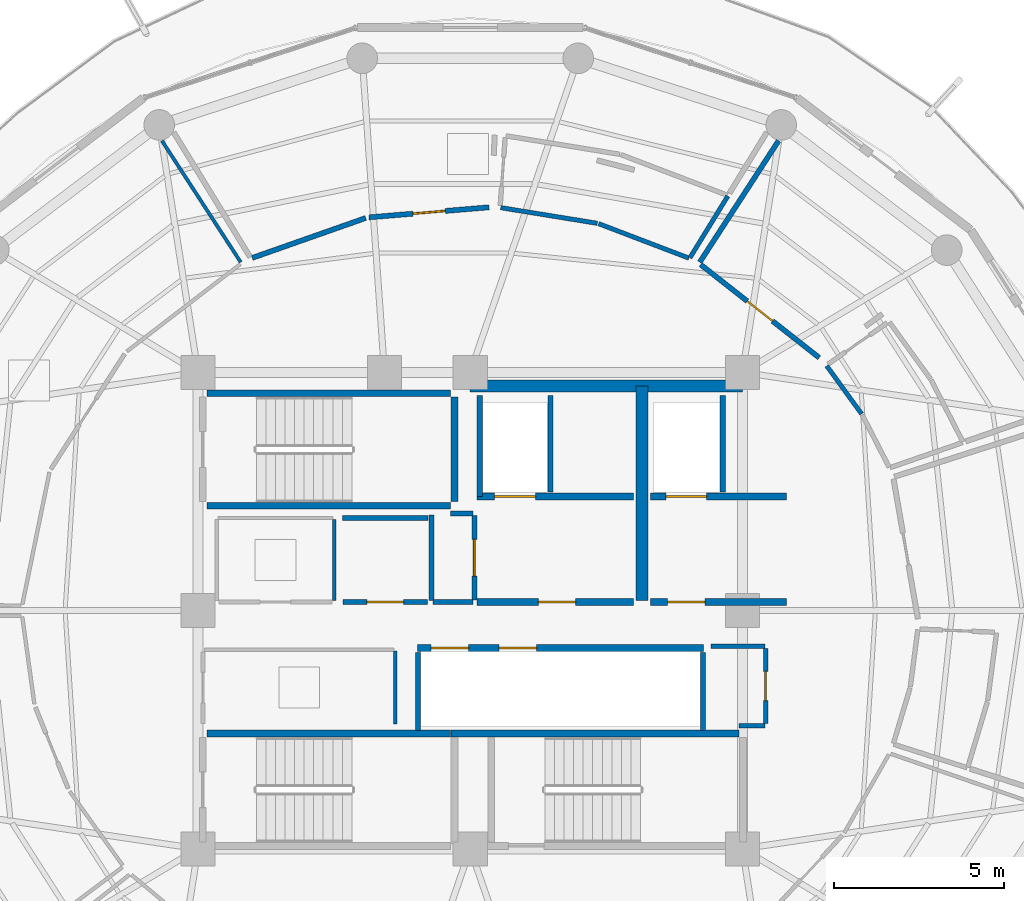
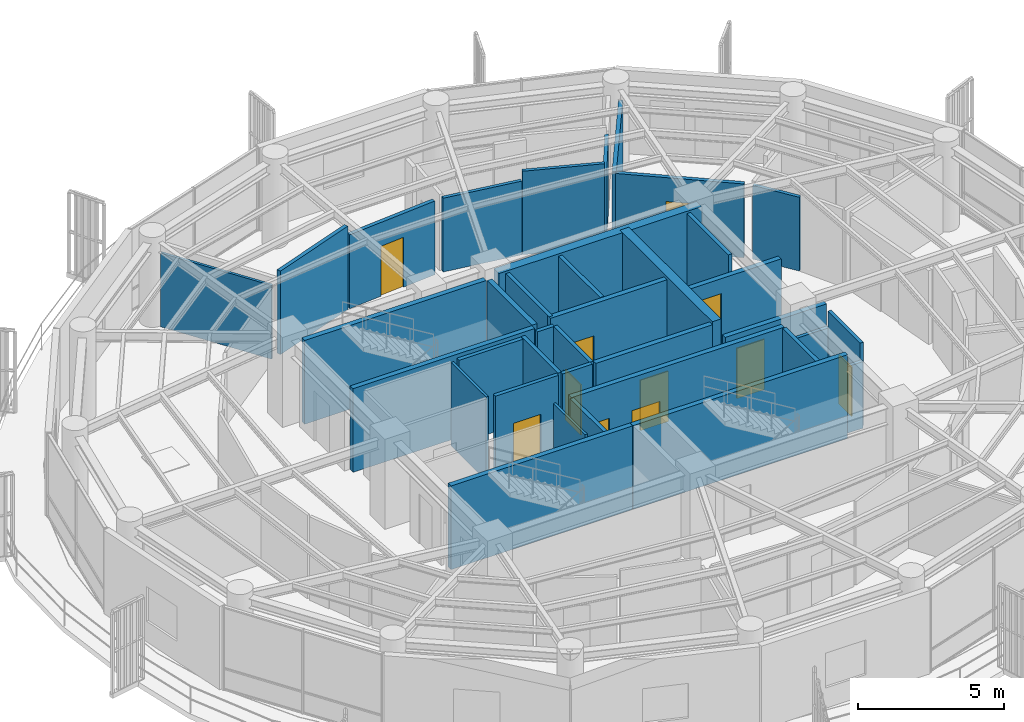
# One storey, part 16 of 22: 37 walls, 11 doors, 11 openings.
"""IFC4 building model written with IfcOpenShell, lengths in metres."""

from ifc_helpers import new_model, si_unit, direction, frame, frame_2d, origin, place, context, subcontext, project, spatial, rectangle, extrude, material, layer, layer_set, type_object, element, fill, save


model = new_model("IFC4")

# Units and contexts
model_context = context("Model", 3, precision=1e-05, world=origin(), true_north=direction((0.0, 1.0)))
body_context = subcontext(model_context, "Body", "Model", "MODEL_VIEW")
ifc_project = project(units=[si_unit("LENGTHUNIT", "METRE"), si_unit("AREAUNIT", "SQUARE_METRE"), si_unit("VOLUMEUNIT", "CUBIC_METRE"), si_unit("PLANEANGLEUNIT", "RADIAN"), si_unit("MASSUNIT", "GRAM", prefix="KILO")], contexts=[model_context])

# Site, building, storey
site_placement = place(None, origin())
site = spatial("IfcSite", under=ifc_project, at=site_placement, CompositionType="ELEMENT")
building_placement = place(site_placement, origin())
building = spatial("IfcBuilding", under=site, at=building_placement, Name="Kelanora Arch Commons", CompositionType="ELEMENT")
storey_placement = place(building_placement, frame((0.0, 0.0, 267.449951171875)))
storey = spatial("IfcBuildingStorey", under=building, at=storey_placement, Name="L68", CompositionType="ELEMENT", Elevation=267.449951171875)

# Walls
ifc_material_1 = material(Name="Autoclaved aerated concrete blockwork with fire plaster", Category="masonry")
ifc_layer_1 = layer(ifc_material_1, 0.14990234375)
ifc_layer_set_1 = layer_set([ifc_layer_1], Name="Autoclaved aerated concrete blockwork with fire plaster")
wall_type_1 = type_object("IfcWallType", Name="W-COMP-150", PredefinedType="PARTITIONING", material=ifc_layer_set_1)
wall_1_placement = place(storey_placement, frame((74.280029296875, 61.35009765625, 0.0), z_axis=(0.0, 0.0, 1.0), x_axis=(0.0, 1.0, 0.0)))
element("IfcWall", 1, at=wall_1_placement, inside=storey, type_object=wall_type_1, Name="Firefighting Lift 1 West Shaft Wall L68", PredefinedType="PARTITIONING", context=body_context, shape_type="SweptSolid", body=[
    extrude(rectangle(XDim=2.969970703125, YDim=0.14990234375, at=frame_2d((1.48486328125, 0.0))), origin(), (0.0, 0.0, 1.0), 3.47998046875),
])
for number, where, z_axis, x_axis, name in (
    (2, (76.360107421875, 61.47998046875, 0.0), (0.0, 0.0, 1.0), (0.0, 1.0, 0.0), "Firefighting Lift 1 East Shaft Wall L68"),
    (3, (81.419921875, 61.47998046875, 0.0), (0.0, 0.0, 1.0), (0.0, 1.0, 0.0), "Firefighting Lift 2 East Shaft Wall L68"),
):
    element("IfcWall", number, at=place(storey_placement, frame(where, z_axis=z_axis, x_axis=x_axis)), inside=storey, type_object=wall_type_1, Name=name, PredefinedType="PARTITIONING", context=body_context, shape_type="SweptSolid", body=[
        extrude(rectangle(XDim=2.840087890625, YDim=0.14990234375, at=frame_2d((1.419921875, 0.0))), origin(), (0.0, 0.0, 1.0), 3.47998046875),
    ])
for number, where, z_axis, x_axis, name in (
    (4, (72.4599609375, 54.47998046875, 0.0), (0.0, 0.0, 1.0), (0.0, 1.0, 0.0), "South Lift Bank West Wall L68"),
    (5, (80.840087890625, 54.47998046875, 0.0), (0.0, 0.0, 1.0), (0.0, 1.0, 0.0), "South Lift Bank East Wall L68"),
):
    element("IfcWall", number, at=place(storey_placement, frame(where, z_axis=z_axis, x_axis=x_axis)), inside=storey, type_object=wall_type_1, Name=name, PredefinedType="PARTITIONING", context=body_context, shape_type="SweptSolid", body=[
        extrude(rectangle(XDim=2.2900390625, YDim=0.14990234375, at=frame_2d((1.14501953125, 0.0))), origin(), (0.0, 0.0, 1.0), 3.47998046875),
    ])

# Wall, opening, door
wall_2_placement = place(storey_placement, frame((74.1201171875, 58.31005859375, 0.0), z_axis=(0.0, 0.0, 1.0), x_axis=(0.0, 1.0, 0.0)))
wall_2 = element("IfcWall", 6, at=wall_2_placement, inside=storey, type_object=wall_type_1, Name="Core Linen Supply Store L68 Entry Partition", PredefinedType="PARTITIONING", context=body_context, shape_type="SweptSolid", body=[
    extrude(rectangle(XDim=2.47998046875, YDim=0.14990234375, at=frame_2d((1.239990234375, 0.0))), origin(), (0.0, 0.0, 1.0), 3.47998046875),
])
opening_1_placement = place(wall_2_placement, frame((0.699951171875, 0.0, 0.0)))
opening_1 = element("IfcOpeningElement", 7, at=opening_1_placement, cuts=wall_2, Name="Opening D-PLT1", PredefinedType="OPENING", context=body_context, shape_type="SweptSolid", body=[
    extrude(rectangle(XDim=1.080078125, YDim=2.10009765625, at=frame_2d((0.5400390625, 1.050048828125))), frame((0.0, 0.0849609375, 0.0), z_axis=(0.0, -1.0, 0.0), x_axis=(1.0, 0.0, 0.0)), (0.0, 0.0, 1.0), 0.169921875),
])
ifc_material_2 = material(Name="Galvanised steel plant and riser fire door", Category="steel")
door_type_1 = type_object("IfcDoorType", Name="D-PLT-110", OperationType="NOTDEFINED", PredefinedType="DOOR", material=ifc_material_2)
door_1_placement = place(opening_1_placement, origin())
door_1 = element("IfcDoor", 8, at=door_1_placement, inside=storey, type_object=door_type_1, Name="Core Linen Supply Store L68 Door", OperationType="SINGLE_SWING_RIGHT", OverallHeight=2.10009765625, OverallWidth=1.080078125, PredefinedType="DOOR", context=body_context, shape_type="SweptSolid", body=[
    extrude(rectangle(XDim=1.080078125, YDim=2.10009765625, at=frame_2d((0.5400390625, 1.050048828125))), frame((0.0, 0.02490234375, 0.0), z_axis=(0.0, -1.0, 0.0), x_axis=(1.0, 0.0, 0.0)), (0.0, 0.0, 1.0), 0.050048828125),
])
fill(opening_1, door_1)

wall_3_placement = place(storey_placement, frame((70.260009765625, 58.25, 0.0), z_axis=(0.0, 0.0, 1.0), x_axis=(1.0, 0.0, 0.0)))
wall_3 = element("IfcWall", 9, at=wall_3_placement, inside=storey, type_object=wall_type_1, Name="Reclaimed Core Linen Store L68 Entry Partition", PredefinedType="PARTITIONING", context=body_context, shape_type="SweptSolid", body=[
    extrude(rectangle(XDim=2.47998046875, YDim=0.14990234375, at=frame_2d((1.239990234375, 0.0))), origin(), (0.0, 0.0, 1.0), 3.47998046875),
])
opening_2_placement = place(wall_3_placement, frame((0.699951171875, 0.0, 0.0)))
opening_2 = element("IfcOpeningElement", 10, at=opening_2_placement, cuts=wall_3, Name="Opening D-PLT1", PredefinedType="OPENING", context=body_context, shape_type="SweptSolid", body=[
    extrude(rectangle(XDim=1.080078125, YDim=2.10009765625, at=frame_2d((0.5400390625, 1.050048828125))), frame((0.0, 0.0849609375, 0.0), z_axis=(0.0, -1.0, 0.0), x_axis=(1.0, 0.0, 0.0)), (0.0, 0.0, 1.0), 0.169921875),
])
door_2_placement = place(opening_2_placement, origin())
door_2 = element("IfcDoor", 11, at=door_2_placement, inside=storey, type_object=door_type_1, Name="Reclaimed Core Linen Store L68 Door", OperationType="SINGLE_SWING_LEFT", OverallHeight=2.10009765625, OverallWidth=1.080078125, PredefinedType="DOOR", context=body_context, shape_type="SweptSolid", body=[
    extrude(rectangle(XDim=1.080078125, YDim=2.10009765625, at=frame_2d((0.5400390625, 1.050048828125))), frame((0.0, 0.02490234375, 0.0), z_axis=(0.0, -1.0, 0.0), x_axis=(1.0, 0.0, 0.0)), (0.0, 0.0, 1.0), 0.050048828125),
])
fill(opening_2, door_2)

wall_4_placement = place(storey_placement, frame((84.2548828125, 65.43212890625, 0.0), z_axis=(0.0, 0.0, 1.0), x_axis=(-0.786354671358, 0.617775307724, 0.0)))
wall_4 = element("IfcWall", 12, at=wall_4_placement, inside=storey, type_object=wall_type_1, Name="Co-Living Studio L68-01 Entry Partition", PredefinedType="PARTITIONING", context=body_context, shape_type="SweptSolid", body=[
    extrude(rectangle(XDim=4.43017578125, YDim=0.14990234375, at=frame_2d((2.215087890625, 0.0))), origin(), (0.0, 0.0, 1.0), 3.074951171875),
])
opening_3_placement = place(wall_4_placement, frame((1.739990234375, 0.0, 0.0)))
opening_3 = element("IfcOpeningElement", 13, at=opening_3_placement, cuts=wall_4, Name="Opening D-CLU1", PredefinedType="OPENING", context=body_context, shape_type="SweptSolid", body=[
    extrude(rectangle(XDim=0.949951171875, YDim=2.080078125, at=frame_2d((0.47509765625, 1.0400390625))), frame((0.0, 0.0849609375, 0.0), z_axis=(0.0, -1.0, 0.0), x_axis=(1.0, 0.0, 0.0)), (0.0, 0.0, 1.0), 0.169921875),
])
ifc_material_3 = material(Name="Solid-core acoustic timber cluster entry fire door", Category="wood")
door_type_2 = type_object("IfcDoorType", Name="D-CLU-95", OperationType="NOTDEFINED", PredefinedType="DOOR", material=ifc_material_3)
door_3_placement = place(opening_3_placement, origin())
door_3 = element("IfcDoor", 14, at=door_3_placement, inside=storey, type_object=door_type_2, Name="Co-Living Studio L68-01 Door", OperationType="SINGLE_SWING_RIGHT", OverallHeight=2.080078125, OverallWidth=0.949951171875, PredefinedType="DOOR", context=body_context, shape_type="SweptSolid", body=[
    extrude(rectangle(XDim=0.949951171875, YDim=2.080078125, at=frame_2d((0.47509765625, 1.0400390625))), frame((0.0, 0.02490234375, 0.0), z_axis=(0.0, -1.0, 0.0), x_axis=(1.0, 0.0, 0.0)), (0.0, 0.0, 1.0), 0.050048828125),
])
fill(opening_3, door_3)

wall_5_placement = place(storey_placement, frame((74.55322265625, 69.85205078125, 0.0), z_axis=(0.0, 0.0, 1.0), x_axis=(-0.996494196011, -0.083661922741, 0.0)))
wall_5 = element("IfcWall", 15, at=wall_5_placement, inside=storey, type_object=wall_type_1, Name="Co-Living Studio L68-02 Entry Partition", PredefinedType="PARTITIONING", context=body_context, shape_type="SweptSolid", body=[
    extrude(rectangle(XDim=3.539794921875, YDim=0.14990234375, at=frame_2d((1.77001953125, 0.0))), origin(), (0.0, 0.0, 1.0), 3.074951171875),
])
opening_4_placement = place(wall_5_placement, frame((1.294921875, 0.0, 0.0)))
opening_4 = element("IfcOpeningElement", 16, at=opening_4_placement, cuts=wall_5, Name="Opening D-CLU1", PredefinedType="OPENING", context=body_context, shape_type="SweptSolid", body=[
    extrude(rectangle(XDim=0.949951171875, YDim=2.080078125, at=frame_2d((0.47509765625, 1.0400390625))), frame((0.0, 0.0849609375, 0.0), z_axis=(0.0, -1.0, 0.0), x_axis=(1.0, 0.0, 0.0)), (0.0, 0.0, 1.0), 0.169921875),
])
door_4_placement = place(opening_4_placement, origin())
door_4 = element("IfcDoor", 17, at=door_4_placement, inside=storey, type_object=door_type_2, Name="Co-Living Studio L68-02 Door", OperationType="SINGLE_SWING_RIGHT", OverallHeight=2.080078125, OverallWidth=0.949951171875, PredefinedType="DOOR", context=body_context, shape_type="SweptSolid", body=[
    extrude(rectangle(XDim=0.949951171875, YDim=2.080078125, at=frame_2d((0.47509765625, 1.0400390625))), frame((0.0, 0.02490234375, 0.0), z_axis=(0.0, -1.0, 0.0), x_axis=(1.0, 0.0, 0.0)), (0.0, 0.0, 1.0), 0.050048828125),
])
fill(opening_4, door_4)

# Walls
wall_6_placement = place(storey_placement, frame((72.89990234375, 58.25, 0.0), z_axis=(0.0, 0.0, 1.0), x_axis=(1.0, 0.0, 0.0)))
element("IfcWall", 18, at=wall_6_placement, inside=storey, type_object=wall_type_1, Name="Core Linen Supply Store L68 Enclosure Partition 1", PredefinedType="PARTITIONING", context=body_context, shape_type="SweptSolid", body=[
    extrude(rectangle(XDim=1.18017578125, YDim=0.14990234375, at=frame_2d((0.590087890625, 0.0))), origin(), (0.0, 0.0, 1.0), 3.47998046875),
])
wall_7_placement = place(storey_placement, frame((74.080078125, 60.85009765625, 0.0), z_axis=(0.0, 0.0, 1.0), x_axis=(-1.0, 0.0, 0.0)))
element("IfcWall", 19, at=wall_7_placement, inside=storey, type_object=wall_type_1, Name="Core Linen Supply Store L68 Enclosure Partition 3", PredefinedType="PARTITIONING", context=body_context, shape_type="SweptSolid", body=[
    extrude(rectangle(XDim=0.66015625, YDim=0.14990234375, at=frame_2d((0.330078125, 0.0))), origin(), (0.0, 0.0, 1.0), 3.47998046875),
])
for number, where, z_axis, x_axis, name in (
    (20, (72.860107421875, 60.81005859375, 0.0), (0.0, 0.0, 1.0), (0.0, -1.0, 0.0), "Core Linen Supply Store L68 Enclosure Partition 4"),
    (21, (72.760009765625, 60.719970703125, 0.0), (0.0, 0.0, 1.0), (-1.0, 0.0, 0.0), "Reclaimed Core Linen Store L68 Enclosure Partition 3"),
):
    element("IfcWall", number, at=place(storey_placement, frame(where, z_axis=z_axis, x_axis=x_axis)), inside=storey, type_object=wall_type_1, Name=name, PredefinedType="PARTITIONING", context=body_context, shape_type="SweptSolid", body=[
        extrude(rectangle(XDim=2.52001953125, YDim=0.14990234375, at=frame_2d((1.260009765625, 0.0))), origin(), (0.0, 0.0, 1.0), 3.47998046875),
    ])
wall_8_placement = place(storey_placement, frame((80.745849609375, 68.239501953125, 0.0), z_axis=(0.0, 0.0, 1.0), x_axis=(0.544234825024, 0.838932926539, 0.0)))
element("IfcWall", 22, at=wall_8_placement, inside=storey, type_object=wall_type_1, Name="Co-Living Studio L68-01 Enclosure Partition 2", PredefinedType="PARTITIONING", context=body_context, shape_type="SweptSolid", body=[
    extrude(rectangle(XDim=4.2490234375, YDim=0.14990234375, at=frame_2d((2.12451171875, 0.0))), origin(), (0.0, 0.0, 1.0), 3.074951171875),
])
wall_9_placement = place(storey_placement, frame((70.92822265625, 69.53759765625, 0.0), z_axis=(0.0, 0.0, 1.0), x_axis=(-0.943334007166, -0.331844769319, 0.0)))
element("IfcWall", 23, at=wall_9_placement, inside=storey, type_object=wall_type_1, Name="Co-Living Studio L68-02 Enclosure Partition 2", PredefinedType="PARTITIONING", context=body_context, shape_type="SweptSolid", body=[
    extrude(rectangle(XDim=3.535888671875, YDim=0.14990234375, at=frame_2d((1.76806640625, 0.0))), origin(), (0.0, 0.0, 1.0), 3.47998046875),
])
ifc_material_4 = material(Name="Concrete C50/60", Category="concrete")
ifc_layer_2 = layer(ifc_material_4, 0.35009765625)
ifc_layer_set_2 = layer_set([ifc_layer_2], Name="Concrete C50/60")
wall_type_2 = type_object("IfcWallType", Name="W-CORE-350", PredefinedType="SHEAR", material=ifc_layer_set_2)
wall_10_placement = place(storey_placement, frame((74.0, 64.60009765625, 0.0), z_axis=(0.0, 0.0, 1.0), x_axis=(1.0, 0.0, 0.0)))
element("IfcWall", 24, at=wall_10_placement, inside=storey, type_object=wall_type_2, Name="Core Shear Spine L68-CN-E", PredefinedType="SHEAR", context=body_context, shape_type="SweptSolid", body=[
    extrude(rectangle(XDim=8.0, YDim=0.35009765625, at=frame_2d((4.0, 0.0))), origin(), (0.0, 0.0, 1.0), 3.489990234375),
])
wall_11_placement = place(storey_placement, frame((79.050048828125, 58.300048828125, 0.0), z_axis=(0.0, 0.0, 1.0), x_axis=(0.0, 1.0, 0.0)))
element("IfcWall", 25, at=wall_11_placement, inside=storey, type_object=wall_type_2, Name="Core Shear Spine L68-CE-N", PredefinedType="SHEAR", context=body_context, shape_type="SweptSolid", body=[
    extrude(rectangle(XDim=6.300048828125, YDim=0.35009765625, at=frame_2d((3.14990234375, 0.0))), origin(), (0.0, 0.0, 1.0), 3.489990234375),
])

# Wall, opening, door
ifc_material_5 = material(Name="Concrete C40/50", Category="concrete")
ifc_layer_3 = layer(ifc_material_5, 0.199951171875)
ifc_layer_set_3 = layer_set([ifc_layer_3], Name="Concrete C40/50")
wall_type_3 = type_object("IfcWallType", Name="W-FFL-200", PredefinedType="SOLIDWALL", material=ifc_layer_set_3)
wall_12_placement = place(storey_placement, frame((74.199951171875, 61.35009765625, 0.0), z_axis=(0.0, 0.0, 1.0), x_axis=(1.0, 0.0, 0.0)))
wall_12 = element("IfcWall", 26, at=wall_12_placement, inside=storey, type_object=wall_type_3, Name="Firefighting Lift 1 Shaft Front L68", PredefinedType="SOLIDWALL", context=body_context, shape_type="SweptSolid", body=[
    extrude(rectangle(XDim=4.60009765625, YDim=0.199951171875, at=frame_2d((2.300048828125, 0.0))), origin(), (0.0, 0.0, 1.0), 3.47998046875),
])
opening_5_placement = place(wall_12_placement, frame((0.52001953125, 0.0, 0.0)))
opening_5 = element("IfcOpeningElement", 27, at=opening_5_placement, cuts=wall_12, Name="Opening LD-FF", PredefinedType="OPENING", context=body_context, shape_type="SweptSolid", body=[
    extrude(rectangle(XDim=1.199951171875, YDim=2.14990234375, at=frame_2d((0.60009765625, 1.074951171875))), frame((0.0, 0.10986328125, 0.0), z_axis=(0.0, -1.0, 0.0), x_axis=(1.0, 0.0, 0.0)), (0.0, 0.0, 1.0), 0.219970703125),
])
ifc_material_6 = material(Name="Fire-rated firefighters lift sliding landing door")
door_type_3 = type_object("IfcDoorType", Name="D-LIFT-FF", OperationType="NOTDEFINED", PredefinedType="DOOR", material=ifc_material_6)
door_5_placement = place(opening_5_placement, origin())
door_5 = element("IfcDoor", 28, at=door_5_placement, inside=storey, type_object=door_type_3, Name="Firefighting Lift LF-FF1 Landing Door L68", OperationType="DOUBLE_DOOR_SLIDING", OverallHeight=2.14990234375, OverallWidth=1.199951171875, PredefinedType="DOOR", context=body_context, shape_type="SweptSolid", body=[
    extrude(rectangle(XDim=1.199951171875, YDim=2.14990234375, at=frame_2d((0.60009765625, 1.074951171875))), frame((0.0, 0.02490234375, 0.0), z_axis=(0.0, -1.0, 0.0), x_axis=(1.0, 0.0, 0.0)), (0.0, 0.0, 1.0), 0.050048828125),
])
fill(opening_5, door_5)

wall_13_placement = place(storey_placement, frame((79.300048828125, 61.35009765625, 0.0), z_axis=(0.0, 0.0, 1.0), x_axis=(1.0, 0.0, 0.0)))
wall_13 = element("IfcWall", 29, at=wall_13_placement, inside=storey, type_object=wall_type_3, Name="Firefighting Lift 2 Shaft Front L68", PredefinedType="SOLIDWALL", context=body_context, shape_type="SweptSolid", body=[
    extrude(rectangle(XDim=4.0, YDim=0.199951171875, at=frame_2d((2.0, 0.0))), origin(), (0.0, 0.0, 1.0), 2.775146484375),
])
opening_6_placement = place(wall_13_placement, frame((0.449951171875, 0.0, 0.0)))
opening_6 = element("IfcOpeningElement", 30, at=opening_6_placement, cuts=wall_13, Name="Opening LD-FF", PredefinedType="OPENING", context=body_context, shape_type="SweptSolid", body=[
    extrude(rectangle(XDim=1.199951171875, YDim=2.14990234375, at=frame_2d((0.60009765625, 1.074951171875))), frame((0.0, 0.10986328125, 0.0), z_axis=(0.0, -1.0, 0.0), x_axis=(1.0, 0.0, 0.0)), (0.0, 0.0, 1.0), 0.219970703125),
])
door_6_placement = place(opening_6_placement, origin())
door_6 = element("IfcDoor", 31, at=door_6_placement, inside=storey, type_object=door_type_3, Name="Firefighting Lift LF-FF2 Landing Door L68", OperationType="DOUBLE_DOOR_SLIDING", OverallHeight=2.14990234375, OverallWidth=1.199951171875, PredefinedType="DOOR", context=body_context, shape_type="SweptSolid", body=[
    extrude(rectangle(XDim=1.199951171875, YDim=2.14990234375, at=frame_2d((0.60009765625, 1.074951171875))), frame((0.0, 0.02490234375, 0.0), z_axis=(0.0, -1.0, 0.0), x_axis=(1.0, 0.0, 0.0)), (0.0, 0.0, 1.0), 0.050048828125),
])
fill(opening_6, door_6)

wall_14_placement = place(storey_placement, frame((74.199951171875, 58.25, 0.0), z_axis=(0.0, 0.0, 1.0), x_axis=(1.0, 0.0, 0.0)))
wall_14 = element("IfcWall", 32, at=wall_14_placement, inside=storey, type_object=wall_type_3, Name="Firefighting Lobby 1 Enclosure Wall L68", PredefinedType="SOLIDWALL", context=body_context, shape_type="SweptSolid", body=[
    extrude(rectangle(XDim=4.60009765625, YDim=0.199951171875, at=frame_2d((2.300048828125, 0.0))), origin(), (0.0, 0.0, 1.0), 3.47998046875),
])
opening_7_placement = place(wall_14_placement, frame((1.800048828125, 0.0, 0.0)))
opening_7 = element("IfcOpeningElement", 33, at=opening_7_placement, cuts=wall_14, Name="Opening D-FFL1", PredefinedType="OPENING", context=body_context, shape_type="SweptSolid", body=[
    extrude(rectangle(XDim=1.10009765625, YDim=2.10009765625, at=frame_2d((0.550048828125, 1.050048828125))), frame((0.0, 0.10986328125, 0.0), z_axis=(0.0, -1.0, 0.0), x_axis=(1.0, 0.0, 0.0)), (0.0, 0.0, 1.0), 0.219970703125),
])
ifc_material_7 = material(Name="Smoke-sealed firefighting lobby fire door")
door_type_4 = type_object("IfcDoorType", Name="D-FFL-110", OperationType="NOTDEFINED", PredefinedType="DOOR", material=ifc_material_7)
door_7_placement = place(opening_7_placement, frame((1.10009765625, 0.0, 0.0), z_axis=(0.0, 0.0, 1.0), x_axis=(-1.0, 0.0, 0.0)))
door_7 = element("IfcDoor", 34, at=door_7_placement, inside=storey, type_object=door_type_4, Name="Firefighting Lobby 1 Door L68", OperationType="SINGLE_SWING_LEFT", OverallHeight=2.10009765625, OverallWidth=1.10009765625, PredefinedType="DOOR", context=body_context, shape_type="SweptSolid", body=[
    extrude(rectangle(XDim=1.10009765625, YDim=2.10009765625, at=frame_2d((0.550048828125, 1.050048828125))), frame((0.0, 0.02490234375, 0.0), z_axis=(0.0, -1.0, 0.0), x_axis=(1.0, 0.0, 0.0)), (0.0, 0.0, 1.0), 0.050048828125),
])
fill(opening_7, door_7)

wall_15_placement = place(storey_placement, frame((79.300048828125, 58.25, 0.0), z_axis=(0.0, 0.0, 1.0), x_axis=(1.0, 0.0, 0.0)))
wall_15 = element("IfcWall", 35, at=wall_15_placement, inside=storey, type_object=wall_type_3, Name="Firefighting Lobby 2 Enclosure Wall L68", PredefinedType="SOLIDWALL", context=body_context, shape_type="SweptSolid", body=[
    extrude(rectangle(XDim=4.0, YDim=0.199951171875, at=frame_2d((2.0, 0.0))), origin(), (0.0, 0.0, 1.0), 2.775146484375),
])
opening_8_placement = place(wall_15_placement, frame((0.5, 0.0, 0.0)))
opening_8 = element("IfcOpeningElement", 36, at=opening_8_placement, cuts=wall_15, Name="Opening D-FFL1", PredefinedType="OPENING", context=body_context, shape_type="SweptSolid", body=[
    extrude(rectangle(XDim=1.10009765625, YDim=2.10009765625, at=frame_2d((0.550048828125, 1.050048828125))), frame((0.0, 0.10986328125, 0.0), z_axis=(0.0, -1.0, 0.0), x_axis=(1.0, 0.0, 0.0)), (0.0, 0.0, 1.0), 0.219970703125),
])
door_8_placement = place(opening_8_placement, frame((1.10009765625, 0.0, 0.0), z_axis=(0.0, 0.0, 1.0), x_axis=(-1.0, 0.0, 0.0)))
door_8 = element("IfcDoor", 37, at=door_8_placement, inside=storey, type_object=door_type_4, Name="Firefighting Lobby 2 Door L68", OperationType="SINGLE_SWING_RIGHT", OverallHeight=2.10009765625, OverallWidth=1.10009765625, PredefinedType="DOOR", context=body_context, shape_type="SweptSolid", body=[
    extrude(rectangle(XDim=1.10009765625, YDim=2.10009765625, at=frame_2d((0.550048828125, 1.050048828125))), frame((0.0, 0.02490234375, 0.0), z_axis=(0.0, -1.0, 0.0), x_axis=(1.0, 0.0, 0.0)), (0.0, 0.0, 1.0), 0.050048828125),
])
fill(opening_8, door_8)

# Wall, openings, doors
wall_16_placement = place(storey_placement, frame((72.449951171875, 56.89990234375, 0.0), z_axis=(0.0, 0.0, 1.0), x_axis=(1.0, 0.0, 0.0)))
wall_16 = element("IfcWall", 38, at=wall_16_placement, inside=storey, type_object=wall_type_3, Name="Mid/High/Express Lift Shaft Front L68", PredefinedType="SOLIDWALL", context=body_context, shape_type="SweptSolid", body=[
    extrude(rectangle(XDim=8.400146484375, YDim=0.199951171875, at=frame_2d((4.2001953125, 0.0))), origin(), (0.0, 0.0, 1.0), 3.47998046875),
])
opening_9_placement = place(wall_16_placement, frame((0.39990234375, 0.0, 0.0)))
opening_9 = element("IfcOpeningElement", 39, at=opening_9_placement, cuts=wall_16, Name="Opening LD-01", PredefinedType="OPENING", context=body_context, shape_type="SweptSolid", body=[
    extrude(rectangle(XDim=1.10009765625, YDim=2.10009765625, at=frame_2d((0.550048828125, 1.050048828125))), frame((0.0, 0.10986328125, 0.0), z_axis=(0.0, -1.0, 0.0), x_axis=(1.0, 0.0, 0.0)), (0.0, 0.0, 1.0), 0.219970703125),
])
opening_10_placement = place(wall_16_placement, frame((2.39990234375, 0.0, 0.0)))
opening_10 = element("IfcOpeningElement", 40, at=opening_10_placement, cuts=wall_16, Name="Opening LD-01", PredefinedType="OPENING", context=body_context, shape_type="SweptSolid", body=[
    extrude(rectangle(XDim=1.10009765625, YDim=2.10009765625, at=frame_2d((0.550048828125, 1.050048828125))), frame((0.0, 0.10986328125, 0.0), z_axis=(0.0, -1.0, 0.0), x_axis=(1.0, 0.0, 0.0)), (0.0, 0.0, 1.0), 0.219970703125),
])
ifc_material_8 = material(Name="Stainless steel passenger lift sliding landing door", Category="steel")
door_type_5 = type_object("IfcDoorType", Name="D-LIFT-110", OperationType="NOTDEFINED", PredefinedType="DOOR", material=ifc_material_8)
door_9_placement = place(opening_9_placement, origin())
door_9 = element("IfcDoor", 41, at=door_9_placement, inside=storey, type_object=door_type_5, Name="Passenger Lift LF-P7 Landing Door L68", OperationType="DOUBLE_DOOR_SLIDING", OverallHeight=2.10009765625, OverallWidth=1.10009765625, PredefinedType="DOOR", context=body_context, shape_type="SweptSolid", body=[
    extrude(rectangle(XDim=1.10009765625, YDim=2.10009765625, at=frame_2d((0.550048828125, 1.050048828125))), frame((0.0, 0.02490234375, 0.0), z_axis=(0.0, -1.0, 0.0), x_axis=(1.0, 0.0, 0.0)), (0.0, 0.0, 1.0), 0.050048828125),
])
fill(opening_9, door_9)
door_10_placement = place(opening_10_placement, origin())
door_10 = element("IfcDoor", 42, at=door_10_placement, inside=storey, type_object=door_type_5, Name="Passenger Lift LF-P8 Landing Door L68", OperationType="DOUBLE_DOOR_SLIDING", OverallHeight=2.10009765625, OverallWidth=1.10009765625, PredefinedType="DOOR", context=body_context, shape_type="SweptSolid", body=[
    extrude(rectangle(XDim=1.10009765625, YDim=2.10009765625, at=frame_2d((0.550048828125, 1.050048828125))), frame((0.0, 0.02490234375, 0.0), z_axis=(0.0, -1.0, 0.0), x_axis=(1.0, 0.0, 0.0)), (0.0, 0.0, 1.0), 0.050048828125),
])
fill(opening_10, door_10)

# Walls
ifc_material_9 = material(Name="Lightweight fire-rated acoustic stud partition")
ifc_layer_4 = layer(ifc_material_9, 0.10009765625)
ifc_layer_set_4 = layer_set([ifc_layer_4], Name="Lightweight fire-rated acoustic stud partition")
wall_type_4 = type_object("IfcWallType", Name="W-PART-100", PredefinedType="PARTITIONING", material=ifc_layer_set_4)
wall_17_placement = place(storey_placement, frame((70.0, 58.2900390625, 0.0), z_axis=(0.0, 0.0, 1.0), x_axis=(0.0, 1.0, 0.0)))
element("IfcWall", 43, at=wall_17_placement, inside=storey, type_object=wall_type_4, Name="Reclaimed Core Quiet Phone Booths L68 Enclosure Partition 2", PredefinedType="PARTITIONING", context=body_context, shape_type="SweptSolid", body=[
    extrude(rectangle(XDim=2.389892578125, YDim=0.10009765625, at=frame_2d((1.19482421875, 0.0))), origin(), (0.0, 0.0, 1.0), 3.47998046875),
])
wall_18_placement = place(storey_placement, frame((71.800048828125, 54.659912109375, 0.0), z_axis=(0.0, 0.0, 1.0), x_axis=(0.0, 1.0, 0.0)))
element("IfcWall", 44, at=wall_18_placement, inside=storey, type_object=wall_type_4, Name="Reclaimed Core High-Zone Pantry and Copy Room L68 Enclosure Partition 2", PredefinedType="PARTITIONING", context=body_context, shape_type="SweptSolid", body=[
    extrude(rectangle(XDim=2.150146484375, YDim=0.10009765625, at=frame_2d((1.0751953125, 0.0))), origin(), (0.0, 0.0, 1.0), 3.47998046875),
])
wall_19_placement = place(storey_placement, frame((64.941650390625, 71.80419921875, 0.0), z_axis=(0.0, 0.0, 1.0), x_axis=(0.544234825024, -0.838932926539, 0.0)))
element("IfcWall", 45, at=wall_19_placement, inside=storey, type_object=wall_type_4, Name="Communal Dining and Social Hall L68-03 Enclosure Partition 8", PredefinedType="PARTITIONING", context=body_context, shape_type="SweptSolid", body=[
    extrude(rectangle(XDim=4.2490234375, YDim=0.10009765625, at=frame_2d((2.12451171875, 0.0))), origin(), (0.0, 0.0, 1.0), 3.074951171875),
])
ifc_layer_5 = layer(ifc_material_5, 0.199951171875)
ifc_layer_set_5 = layer_set([ifc_layer_5], Name="Concrete C40/50")
wall_type_5 = type_object("IfcWallType", Name="W-STAIR-200", PredefinedType="SHEAR", material=ifc_layer_set_5)
wall_20_placement = place(storey_placement, frame((66.260009765625, 61.080078125, 0.0), z_axis=(0.0, 0.0, 1.0), x_axis=(1.0, 0.0, 0.0)))
element("IfcWall", 46, at=wall_20_placement, inside=storey, type_object=wall_type_5, Name="Stair ST-T1 Shaft Wall S L68", PredefinedType="SHEAR", context=body_context, shape_type="SweptSolid", body=[
    extrude(rectangle(XDim=7.159912109375, YDim=0.199951171875, at=frame_2d((3.580078125, 0.0))), origin(), (0.0, 0.0, 1.0), 3.489990234375),
])
wall_21_placement = place(storey_placement, frame((73.5400390625, 61.199951171875, 0.0), z_axis=(0.0, 0.0, 1.0), x_axis=(0.0, 1.0, 0.0)))
element("IfcWall", 47, at=wall_21_placement, inside=storey, type_object=wall_type_5, Name="Stair ST-T1 Shaft Wall E L68", PredefinedType="SHEAR", context=body_context, shape_type="SweptSolid", body=[
    extrude(rectangle(XDim=3.070068359375, YDim=0.199951171875, at=frame_2d((1.53515625, 0.0))), origin(), (0.0, 0.0, 1.0), 3.489990234375),
])
wall_22_placement = place(storey_placement, frame((73.419921875, 64.389892578125, 0.0), z_axis=(0.0, 0.0, 1.0), x_axis=(-1.0, 0.0, 0.0)))
element("IfcWall", 48, at=wall_22_placement, inside=storey, type_object=wall_type_5, Name="Stair ST-T1 Shaft Wall N L68", PredefinedType="SHEAR", context=body_context, shape_type="SweptSolid", body=[
    extrude(rectangle(XDim=7.159912109375, YDim=0.199951171875, at=frame_2d((3.580078125, 0.0))), origin(), (0.0, 0.0, 1.0), 3.489990234375),
])
wall_23_placement = place(storey_placement, frame((81.89990234375, 54.389892578125, 0.0), z_axis=(0.0, 0.0, 1.0), x_axis=(-1.0, 0.0, 0.0)))
element("IfcWall", 49, at=wall_23_placement, inside=storey, type_object=wall_type_5, Name="Stair ST-T2 Shaft Wall N L68", PredefinedType="SHEAR", context=body_context, shape_type="SweptSolid", body=[
    extrude(rectangle(XDim=8.4599609375, YDim=0.199951171875, at=frame_2d((4.22998046875, 0.0))), origin(), (0.0, 0.0, 1.0), 3.489990234375),
])
wall_24_placement = place(storey_placement, frame((73.419921875, 54.389892578125, 0.0), z_axis=(0.0, 0.0, 1.0), x_axis=(-1.0, 0.0, 0.0)))
element("IfcWall", 50, at=wall_24_placement, inside=storey, type_object=wall_type_5, Name="Stair ST-T3 Shaft Wall N L68", PredefinedType="SHEAR", context=body_context, shape_type="SweptSolid", body=[
    extrude(rectangle(XDim=7.159912109375, YDim=0.199951171875, at=frame_2d((3.580078125, 0.0))), origin(), (0.0, 0.0, 1.0), 3.489990234375),
])

# Wall, opening, door
ifc_material_10 = material(Name="Moisture-resistant fire-rated cement-board plumbing wall")
ifc_layer_6 = layer(ifc_material_10, 0.1298828125)
ifc_layer_set_6 = layer_set([ifc_layer_6], Name="Moisture-resistant fire-rated cement-board plumbing wall")
wall_type_6 = type_object("IfcWallType", Name="W-WET-120", PredefinedType="PLUMBINGWALL", material=ifc_layer_set_6)
wall_25_placement = place(storey_placement, frame((82.679931640625, 54.679931640625, 0.0), z_axis=(0.0, 0.0, 1.0), x_axis=(0.0, 1.0, 0.0)))
wall_25 = element("IfcWall", 51, at=wall_25_placement, inside=storey, type_object=wall_type_6, Name="Core Accessible Unisex WC L68 Entry Partition", PredefinedType="PLUMBINGWALL", context=body_context, shape_type="SweptSolid", body=[
    extrude(rectangle(XDim=2.2099609375, YDim=0.1298828125, at=frame_2d((1.10498046875, 0.0))), origin(), (0.0, 0.0, 1.0), 3.47998046875),
])
opening_11_placement = place(wall_25_placement, frame((0.675048828125, 0.0, 0.0)))
opening_11 = element("IfcOpeningElement", 52, at=opening_11_placement, cuts=wall_25, Name="Opening D-BT1", PredefinedType="OPENING", context=body_context, shape_type="SweptSolid", body=[
    extrude(rectangle(XDim=0.860107421875, YDim=2.050048828125, at=frame_2d((0.43017578125, 1.02490234375))), frame((0.0, 0.074951171875, 0.0), z_axis=(0.0, -1.0, 0.0), x_axis=(1.0, 0.0, 0.0)), (0.0, 0.0, 1.0), 0.14990234375),
])
ifc_material_11 = material(Name="Moisture-sealed fire-rated accessible bathroom door")
door_type_6 = type_object("IfcDoorType", Name="D-BATH-85", OperationType="NOTDEFINED", PredefinedType="DOOR", material=ifc_material_11)
door_11_placement = place(opening_11_placement, origin())
door_11 = element("IfcDoor", 53, at=door_11_placement, inside=storey, type_object=door_type_6, Name="Core Accessible Unisex WC L68 Door", OperationType="SINGLE_SWING_LEFT", OverallHeight=2.050048828125, OverallWidth=0.860107421875, PredefinedType="DOOR", context=body_context, shape_type="SweptSolid", body=[
    extrude(rectangle(XDim=0.860107421875, YDim=2.050048828125, at=frame_2d((0.43017578125, 1.02490234375))), frame((0.0, 0.02490234375, 0.0), z_axis=(0.0, -1.0, 0.0), x_axis=(1.0, 0.0, 0.0)), (0.0, 0.0, 1.0), 0.050048828125),
])
fill(opening_11, door_11)

# Walls
wall_26_placement = place(storey_placement, frame((81.89990234375, 54.6201171875, 0.0), z_axis=(0.0, 0.0, 1.0), x_axis=(1.0, 0.0, 0.0)))
element("IfcWall", 54, at=wall_26_placement, inside=storey, type_object=wall_type_6, Name="Core Accessible Unisex WC L68 Enclosure Partition 1", PredefinedType="PLUMBINGWALL", context=body_context, shape_type="SweptSolid", body=[
    extrude(rectangle(XDim=0.760009765625, YDim=0.1298828125, at=frame_2d((0.3798828125, 0.0))), origin(), (0.0, 0.0, 1.0), 2.775146484375),
])
wall_27_placement = place(storey_placement, frame((82.659912109375, 56.949951171875, 0.0), z_axis=(0.0, 0.0, 1.0), x_axis=(-1.0, 0.0, 0.0)))
element("IfcWall", 55, at=wall_27_placement, inside=storey, type_object=wall_type_6, Name="Core Accessible Unisex WC L68 Enclosure Partition 3", PredefinedType="PLUMBINGWALL", context=body_context, shape_type="SweptSolid", body=[
    extrude(rectangle(XDim=1.58984375, YDim=0.1298828125, at=frame_2d((0.794921875, 0.0))), origin(), (0.0, 0.0, 1.0), 2.775146484375),
])
wall_28_placement = place(storey_placement, frame((85.502197265625, 63.7783203125, 0.0), z_axis=(0.0, 0.0, 1.0), x_axis=(-0.587439614451, 0.809268002193, 0.0)))
element("IfcWall", 56, at=wall_28_placement, inside=storey, type_object=wall_type_6, Name="En-Suite Shower WC L68-01 Enclosure Partition 2", PredefinedType="PLUMBINGWALL", context=body_context, shape_type="SweptSolid", body=[
    extrude(rectangle(XDim=1.74560546875, YDim=0.1298828125, at=frame_2d((0.872802734375, 0.0))), origin(), (0.0, 0.0, 1.0), 3.074951171875),
])
wall_29_placement = place(storey_placement, frame((80.42626953125, 68.358154296875, 0.0), z_axis=(0.0, 0.0, 1.0), x_axis=(-0.934318832382, 0.35643838101, 0.0)))
element("IfcWall", 57, at=wall_29_placement, inside=storey, type_object=wall_type_6, Name="En-Suite Shower WC L68-02 Enclosure Partition 1", PredefinedType="PLUMBINGWALL", context=body_context, shape_type="SweptSolid", body=[
    extrude(rectangle(XDim=2.841064453125, YDim=0.1298828125, at=frame_2d((1.42041015625, 0.0))), origin(), (0.0, 0.0, 1.0), 3.47998046875),
])
wall_30_placement = place(storey_placement, frame((77.7333984375, 69.381103515625, 0.0), z_axis=(0.0, 0.0, 1.0), x_axis=(-0.987129766344, 0.159921306894, 0.0)))
element("IfcWall", 58, at=wall_30_placement, inside=storey, type_object=wall_type_6, Name="En-Suite Shower WC L68-02 Enclosure Partition 2", PredefinedType="PLUMBINGWALL", context=body_context, shape_type="SweptSolid", body=[
    extrude(rectangle(XDim=2.874755859375, YDim=0.1298828125, at=frame_2d((1.4375, 0.0))), origin(), (0.0, 0.0, 1.0), 3.074951171875),
])
wall_31_placement = place(storey_placement, frame((81.568603515625, 70.179931640625, 0.0), z_axis=(0.0, 0.0, 1.0), x_axis=(-0.523399053684, -0.852087689503, 0.0)))
element("IfcWall", 59, at=wall_31_placement, inside=storey, type_object=wall_type_6, Name="En-Suite Shower WC L68-02 Enclosure Partition 6", PredefinedType="PLUMBINGWALL", context=body_context, shape_type="SweptSolid", body=[
    extrude(rectangle(XDim=2.12646484375, YDim=0.1298828125, at=frame_2d((1.063232421875, 0.0))), origin(), (0.0, 0.0, 1.0), 3.175048828125),
])

save(model, "model.ifc")
